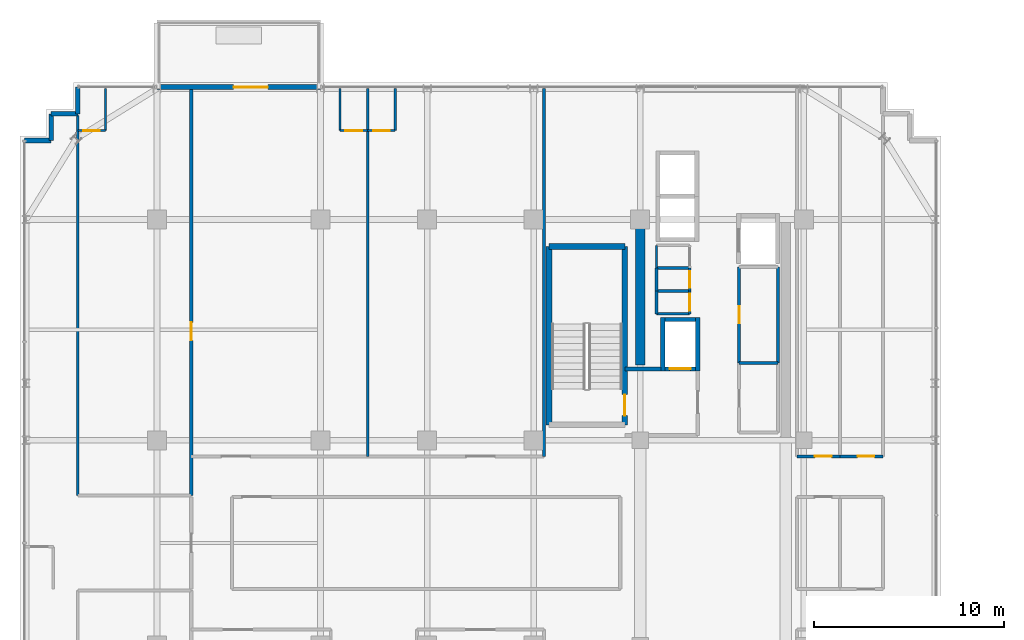
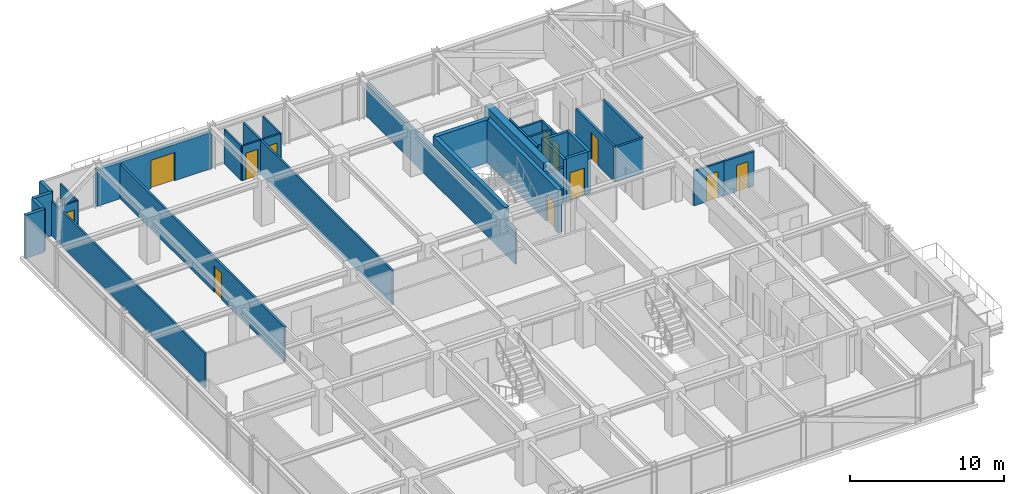
# One storey, part 32 of 36: 37 walls, 12 doors, 12 openings.
"""IFC4 building model written with IfcOpenShell, lengths in metres."""

from ifc_helpers import new_model, si_unit, direction, frame, frame_2d, origin, place, context, subcontext, project, spatial, rectangle, extrude, source, transform, mapped, material, layer, layer_set, type_object, element, fill, save


model = new_model("IFC4")

# Units and contexts
model_context = context("Model", 3, precision=1e-05, world=origin(), true_north=direction((0.0, 1.0)))
body_context = subcontext(model_context, "Body", "Model", "MODEL_VIEW")
ifc_project = project(units=[si_unit("LENGTHUNIT", "METRE"), si_unit("AREAUNIT", "SQUARE_METRE"), si_unit("VOLUMEUNIT", "CUBIC_METRE"), si_unit("PLANEANGLEUNIT", "RADIAN"), si_unit("MASSUNIT", "GRAM", prefix="KILO")], contexts=[model_context])

# Site, building, storey
site_placement = place(None, origin())
site = spatial("IfcSite", under=ifc_project, at=site_placement, CompositionType="ELEMENT")
building_placement = place(site_placement, origin())
building = spatial("IfcBuilding", under=site, at=building_placement, Name="Nahalor Promenade Grand Hotel", CompositionType="ELEMENT")
storey_placement = place(building_placement, frame((0.0, 0.0, 234.5)))
storey = spatial("IfcBuildingStorey", under=building, at=storey_placement, Name="L60", CompositionType="ELEMENT", Elevation=234.5)

# Walls
ifc_material_1 = material(Name="Concrete B-60 (C50/60)", Category="concrete")
ifc_layer_1 = layer(ifc_material_1, 0.5)
ifc_layer_set_1 = layer_set([ifc_layer_1], Name="Concrete B-60 (C50/60)")
wall_type_1 = type_object("IfcWallType", Name="Wall-CoreShear-500", PredefinedType="SHEAR", material=ifc_layer_set_1)
shared_shape_1 = source(origin(), body_context, "Body", "SweptSolid", [
    extrude(rectangle(XDim=7.64990234375, YDim=0.5, at=frame_2d((3.824951171875, 0.0))), origin(), (0.0, 0.0, 1.0), 3.409912109375),
])
wall_1_placement = place(storey_placement, frame((8.39990234375, 9.35009765625, 0.0), z_axis=(0.0, 0.0, 1.0), x_axis=(0.0, 1.0, 0.0)))
element("IfcWall", 1, at=wall_1_placement, inside=storey, type_object=wall_type_1, Name="CWALL-L60-NW", PredefinedType="SHEAR", context=body_context, shape_type="MappedRepresentation", body=[
    mapped(shared_shape_1, transform((0.0, 0.0, 0.0), scale=1.0)),
])
ifc_material_2 = material(Name="Concrete B-50 (C40/50)", Category="concrete")
ifc_layer_2 = layer(ifc_material_2, 0.300048828125)
ifc_layer_set_2 = layer_set([ifc_layer_2], Name="Concrete B-50 (C40/50)")
wall_type_2 = type_object("IfcWallType", Name="Wall-ShaftShear-300", PredefinedType="SHEAR", material=ifc_layer_set_2)
shared_shape_2 = source(origin(), body_context, "Body", "SweptSolid", [
    extrude(rectangle(XDim=3.97998046875, YDim=0.300048828125, at=frame_2d((1.989990234375, 0.0))), origin(), (0.0, 0.0, 1.0), 3.409912109375),
])
wall_2_placement = place(storey_placement, frame((3.610107421875, 15.590087890625, 0.0), z_axis=(0.0, 0.0, 1.0), x_axis=(1.0, 0.0, 0.0)))
element("IfcWall", 2, at=wall_2_placement, inside=storey, type_object=wall_type_2, Name="L60 Exit Stair ST1 Shaft Wall N", PredefinedType="SHEAR", context=body_context, shape_type="MappedRepresentation", body=[
    mapped(shared_shape_2, transform((0.0, 0.0, 0.0), scale=1.0)),
])
shared_shape_3 = source(origin(), body_context, "Body", "SweptSolid", [
    extrude(rectangle(XDim=9.380126953125, YDim=0.300048828125, at=frame_2d((4.68994140625, 0.0))), origin(), (0.0, 0.0, 1.0), 3.409912109375),
])
wall_3_placement = place(storey_placement, frame((3.610107421875, 6.2099609375, 0.0), z_axis=(0.0, 0.0, 1.0), x_axis=(0.0, 1.0, 0.0)))
element("IfcWall", 3, at=wall_3_placement, inside=storey, type_object=wall_type_2, Name="L60 Exit Stair ST1 Shaft Wall W", PredefinedType="SHEAR", context=body_context, shape_type="MappedRepresentation", body=[
    mapped(shared_shape_3, transform((0.0, 0.0, 0.0), scale=1.0)),
])

# Wall, opening, door
wall_4_placement = place(storey_placement, frame((7.590087890625, 6.2099609375, 0.0), z_axis=(0.0, 0.0, 1.0), x_axis=(0.0, 1.0, 0.0)))
wall_4 = element("IfcWall", 4, at=wall_4_placement, inside=storey, type_object=wall_type_2, Name="L60 Exit Stair ST1 Shaft Wall E", PredefinedType="SHEAR", context=body_context, shape_type="MappedRepresentation", body=[
    mapped(shared_shape_3, transform((0.0, 0.0, 0.0), scale=1.0)),
])
opening_1_placement = place(wall_4_placement, frame((0.489990234375, 0.0, 0.0)))
opening_1 = element("IfcOpeningElement", 5, at=opening_1_placement, cuts=wall_4, Name="Opening D-ST1", PredefinedType="OPENING", context=body_context, shape_type="SweptSolid", body=[
    extrude(rectangle(XDim=1.10009765625, YDim=2.14990234375, at=frame_2d((0.550048828125, 1.074951171875))), frame((0.0, 0.159912109375, 0.0), z_axis=(0.0, -1.0, 0.0), x_axis=(1.0, 0.0, 0.0)), (0.0, 0.0, 1.0), 0.320068359375),
])
ifc_material_3 = material(Name="Steel S355JR", Category="steel")
door_type_1 = type_object("IfcDoorType", Name="Door-StairFire-1100", OperationType="NOTDEFINED", PredefinedType="DOOR", material=ifc_material_3)
shared_shape_4 = source(origin(), body_context, "Body", "SweptSolid", [
    extrude(rectangle(XDim=1.10009765625, YDim=2.14990234375, at=frame_2d((0.550048828125, 1.074951171875))), frame((0.0, 0.02490234375, 0.0), z_axis=(0.0, -1.0, 0.0), x_axis=(1.0, 0.0, 0.0)), (0.0, 0.0, 1.0), 0.050048828125),
])
door_1_placement = place(opening_1_placement, origin())
door_1 = element("IfcDoor", 6, at=door_1_placement, inside=storey, type_object=door_type_1, Name="DR-STAIR-ST1-L60", OperationType="SINGLE_SWING_LEFT", OverallHeight=2.14990234375, OverallWidth=1.10009765625, PredefinedType="DOOR", context=body_context, shape_type="MappedRepresentation", body=[
    mapped(shared_shape_4, transform((0.0, 0.0, 0.0), scale=1.0)),
])
fill(opening_1, door_1)

# Walls
ifc_layer_3 = layer(ifc_material_2, 0.219970703125)
ifc_layer_set_3 = layer_set([ifc_layer_3], Name="Concrete B-50 (C40/50)")
wall_type_3 = type_object("IfcWallType", Name="Wall-LiftShaft-220", PredefinedType="SHEAR", material=ifc_layer_set_3)
shared_shape_5 = source(origin(), body_context, "Body", "SweptSolid", [
    extrude(rectangle(XDim=2.820068359375, YDim=0.219970703125, at=frame_2d((1.41015625, 0.0))), origin(), (0.0, 0.0, 1.0), 3.409912109375),
])
for number, where, z_axis, x_axis, name in (
    (7, (9.580078125, 9.0400390625, 0.0), (0.0, 0.0, 1.0), (0.0, 1.0, 0.0), "L60 Lift FL1 Hoistway Wall W"),
    (8, (11.419921875, 9.0400390625, 0.0), (0.0, 0.0, 1.0), (0.0, 1.0, 0.0), "L60 Lift FL1 Hoistway Wall E"),
):
    element("IfcWall", number, at=place(storey_placement, frame(where, z_axis=z_axis, x_axis=x_axis)), inside=storey, type_object=wall_type_3, Name=name, PredefinedType="SHEAR", context=body_context, shape_type="MappedRepresentation", body=[
        mapped(shared_shape_5, transform((0.0, 0.0, 0.0), scale=1.0)),
    ])

# Wall, opening, door
shared_shape_6 = source(origin(), body_context, "Body", "SweptSolid", [
    extrude(rectangle(XDim=1.6201171875, YDim=0.219970703125, at=frame_2d((0.81005859375, 0.0))), origin(), (0.0, 0.0, 1.0), 3.409912109375),
])
wall_5_placement = place(storey_placement, frame((9.68994140625, 9.14990234375, 0.0), z_axis=(0.0, 0.0, 1.0), x_axis=(1.0, 0.0, 0.0)))
wall_5 = element("IfcWall", 9, at=wall_5_placement, inside=storey, type_object=wall_type_3, Name="L60 Lift FL1 Hoistway Wall S", PredefinedType="SHEAR", context=body_context, shape_type="MappedRepresentation", body=[
    mapped(shared_shape_6, transform((0.0, 0.0, 0.0), scale=1.0)),
])
opening_2_placement = place(wall_5_placement, frame((0.260009765625, 0.0, 0.0)))
opening_2 = element("IfcOpeningElement", 10, at=opening_2_placement, cuts=wall_5, Name="Opening LD-02", PredefinedType="OPENING", context=body_context, shape_type="SweptSolid", body=[
    extrude(rectangle(XDim=1.10009765625, YDim=2.199951171875, at=frame_2d((0.550048828125, 1.10009765625))), frame((0.0, 0.119873046875, 0.0), z_axis=(0.0, -1.0, 0.0), x_axis=(1.0, 0.0, 0.0)), (0.0, 0.0, 1.0), 0.239990234375),
])
door_type_2 = type_object("IfcDoorType", Name="Door-LiftFF-1100", OperationType="DOUBLE_DOOR_SLIDING", PredefinedType="DOOR", material=ifc_material_3)
shared_shape_7 = source(origin(), body_context, "Body", "SweptSolid", [
    extrude(rectangle(XDim=1.10009765625, YDim=2.199951171875, at=frame_2d((0.550048828125, 1.10009765625))), frame((0.0, 0.02490234375, 0.0), z_axis=(0.0, -1.0, 0.0), x_axis=(1.0, 0.0, 0.0)), (0.0, 0.0, 1.0), 0.050048828125),
])
door_2_placement = place(opening_2_placement, frame((1.10009765625, 0.0, 0.0), z_axis=(0.0, 0.0, 1.0), x_axis=(-1.0, 0.0, 0.0)))
door_2 = element("IfcDoor", 11, at=door_2_placement, inside=storey, type_object=door_type_2, Name="DR-LIFT-FL1-L60", OperationType="DOUBLE_DOOR_SLIDING", OverallHeight=2.199951171875, OverallWidth=1.10009765625, PredefinedType="DOOR", context=body_context, shape_type="MappedRepresentation", body=[
    mapped(shared_shape_7, transform((0.0, 0.0, 0.0), scale=1.0)),
])
fill(opening_2, door_2)

# Walls
wall_6_placement = place(storey_placement, frame((9.68994140625, 11.75, 0.0), z_axis=(0.0, 0.0, 1.0), x_axis=(1.0, 0.0, 0.0)))
element("IfcWall", 12, at=wall_6_placement, inside=storey, type_object=wall_type_3, Name="L60 Lift FL1 Hoistway Wall N", PredefinedType="SHEAR", context=body_context, shape_type="MappedRepresentation", body=[
    mapped(shared_shape_6, transform((0.0, 0.0, 0.0), scale=1.0)),
])
ifc_material_4 = material(Name="Concrete B-40 (C32/40)", Category="concrete")
ifc_layer_4 = layer(ifc_material_4, 0.25)
ifc_layer_set_4 = layer_set([ifc_layer_4], Name="Concrete B-40 (C32/40)")
wall_type_4 = type_object("IfcWallType", Name="Wall-BronzePier-250", PredefinedType="STANDARD", material=ifc_layer_set_4)
shared_shape_8 = source(origin(), body_context, "Body", "SweptSolid", [
    extrude(rectangle(XDim=1.39990234375, YDim=0.25, at=frame_2d((0.699951171875, 0.0))), origin(), (0.0, 0.0, 1.0), 3.409912109375),
])
for number, where, z_axis, x_axis, name in (
    (13, (-21.159912109375, 22.56005859375, 0.0), (0.0, 0.0, 1.0), (0.0, 1.0, 0.0), "W-L60-SR-09"),
    (14, (-23.9599609375, 21.159912109375, 0.0), (0.0, 0.0, 1.0), (1.0, 0.0, 0.0), "W-L60-SR-12"),
):
    element("IfcWall", number, at=place(storey_placement, frame(where, z_axis=z_axis, x_axis=x_axis)), inside=storey, type_object=wall_type_4, Name=name, PredefinedType="STANDARD", context=body_context, shape_type="MappedRepresentation", body=[
        mapped(shared_shape_8, transform((0.0, 0.0, 0.0), scale=1.0)),
    ])
shared_shape_9 = source(origin(), body_context, "Body", "SweptSolid", [
    extrude(rectangle(XDim=1.400146484375, YDim=0.25, at=frame_2d((0.7001953125, 0.0))), origin(), (0.0, 0.0, 1.0), 3.409912109375),
])
for number, where, z_axis, x_axis, name in (
    (15, (-22.56005859375, 22.56005859375, 0.0), (0.0, 0.0, 1.0), (1.0, 0.0, 0.0), "W-L60-SR-10"),
    (16, (-22.56005859375, 21.159912109375, 0.0), (0.0, 0.0, 1.0), (0.0, 1.0, 0.0), "W-L60-SR-11"),
):
    element("IfcWall", number, at=place(storey_placement, frame(where, z_axis=z_axis, x_axis=x_axis)), inside=storey, type_object=wall_type_4, Name=name, PredefinedType="STANDARD", context=body_context, shape_type="MappedRepresentation", body=[
        mapped(shared_shape_9, transform((0.0, 0.0, 0.0), scale=1.0)),
    ])

# Wall, opening, door
ifc_layer_5 = layer(ifc_material_4, 0.260009765625)
ifc_layer_set_5 = layer_set([ifc_layer_5], Name="Concrete B-40 (C32/40)")
wall_type_5 = type_object("IfcWallType", Name="Wall-BalconyWall-260", PredefinedType="STANDARD", material=ifc_layer_set_5)
shared_shape_10 = source(origin(), body_context, "Body", "SweptSolid", [
    extrude(rectangle(XDim=8.60009765625, YDim=0.260009765625, at=frame_2d((4.300048828125, 0.0))), origin(), (0.0, 0.0, 1.0), 2.889892578125),
])
wall_7_placement = place(storey_placement, frame((-17.0, 23.9599609375, 0.0), z_axis=(0.0, 0.0, 1.0), x_axis=(1.0, 0.0, 0.0)))
wall_7 = element("IfcWall", 17, at=wall_7_placement, inside=storey, type_object=wall_type_5, Name="W-L60-BALC-N-2", PredefinedType="STANDARD", context=body_context, shape_type="MappedRepresentation", body=[
    mapped(shared_shape_10, transform((0.0, 0.0, 0.0), scale=1.0)),
])
opening_3_placement = place(wall_7_placement, frame((4.02490234375, 0.0, 0.0)))
opening_3 = element("IfcOpeningElement", 18, at=opening_3_placement, cuts=wall_7, Name="Opening D-BC1", PredefinedType="OPENING", context=body_context, shape_type="SweptSolid", body=[
    extrude(rectangle(XDim=1.800048828125, YDim=2.25, at=frame_2d((0.89990234375, 1.125))), frame((0.0, 0.139892578125, 0.0), z_axis=(0.0, -1.0, 0.0), x_axis=(1.0, 0.0, 0.0)), (0.0, 0.0, 1.0), 0.280029296875),
])
ifc_material_5 = material(Name="Anodised Bronze Aluminium EN AW-6063 T6", Category="aluminium")
door_type_3 = type_object("IfcDoorType", Name="Door-BalconySlide-1800", OperationType="DOUBLE_DOOR_SLIDING", PredefinedType="DOOR", material=ifc_material_5)
shared_shape_11 = source(origin(), body_context, "Body", "SweptSolid", [
    extrude(rectangle(XDim=1.800048828125, YDim=2.25, at=frame_2d((0.89990234375, 1.125))), frame((0.0, 0.02490234375, 0.0), z_axis=(0.0, -1.0, 0.0), x_axis=(1.0, 0.0, 0.0)), (0.0, 0.0, 1.0), 0.050048828125),
])
door_3_placement = place(opening_3_placement, origin())
door_3 = element("IfcDoor", 19, at=door_3_placement, inside=storey, type_object=door_type_3, Name="DR-L60-BALC-N-2", OperationType="DOUBLE_DOOR_SLIDING", OverallHeight=2.25, OverallWidth=1.800048828125, PredefinedType="DOOR", context=body_context, shape_type="MappedRepresentation", body=[
    mapped(shared_shape_11, transform((0.0, 0.0, 0.0), scale=1.0)),
])
fill(opening_3, door_3)

# Walls
ifc_layer_6 = layer(ifc_material_4, 0.199951171875)
ifc_layer_set_6 = layer_set([ifc_layer_6], Name="Concrete B-40 (C32/40)")
wall_type_6 = type_object("IfcWallType", Name="Wall-PartFire-200", PredefinedType="PARTITIONING", material=ifc_layer_set_6)
shared_shape_12 = source(origin(), body_context, "Body", "SweptSolid", [
    extrude(rectangle(XDim=1.89990234375, YDim=0.199951171875, at=frame_2d((0.949951171875, 0.0))), origin(), (0.0, 0.0, 1.0), 2.75),
])
wall_8_placement = place(storey_placement, frame((7.60009765625, 9.14990234375, 0.0), z_axis=(0.0, 0.0, 1.0), x_axis=(1.0, 0.0, 0.0)))
element("IfcWall", 20, at=wall_8_placement, inside=storey, type_object=wall_type_6, Name="W-L60-FF1-N", PredefinedType="PARTITIONING", context=body_context, shape_type="MappedRepresentation", body=[
    mapped(shared_shape_12, transform((0.0, 0.0, 0.0), scale=1.0)),
])
ifc_material_6 = material(Name="Acoustic Mineral Gypsum", Category="gypsum")
ifc_layer_7 = layer(ifc_material_6, 0.14990234375)
ifc_layer_set_7 = layer_set([ifc_layer_7], Name="Acoustic Mineral Gypsum")
wall_type_7 = type_object("IfcWallType", Name="Wall-PartService-150", PredefinedType="PARTITIONING", material=ifc_layer_set_7)
shared_shape_13 = source(origin(), body_context, "Body", "SweptSolid", [
    extrude(rectangle(XDim=1.75, YDim=0.14990234375, at=frame_2d((0.875, 0.0))), origin(), (0.0, 0.0, 1.0), 2.75),
])
for number, where, z_axis, x_axis, name in (
    (21, (9.25, 12.050048828125, 0.0), (0.0, 0.0, 1.0), (1.0, 0.0, 0.0), "W-L60-CK3A-S"),
    (22, (9.25, 13.25, 0.0), (0.0, 0.0, 1.0), (1.0, 0.0, 0.0), "W-L60-CK3A-N"),
    (23, (9.25, 14.449951171875, 0.0), (0.0, 0.0, 1.0), (1.0, 0.0, 0.0), "W-L60-CK3B-N"),
):
    element("IfcWall", number, at=place(storey_placement, frame(where, z_axis=z_axis, x_axis=x_axis)), inside=storey, type_object=wall_type_7, Name=name, PredefinedType="PARTITIONING", context=body_context, shape_type="MappedRepresentation", body=[
        mapped(shared_shape_13, transform((0.0, 0.0, 0.0), scale=1.0)),
    ])
ifc_layer_8 = layer(ifc_material_6, 0.159912109375)
ifc_layer_set_8 = layer_set([ifc_layer_8], Name="Acoustic Mineral Gypsum")
wall_type_8 = type_object("IfcWallType", Name="Wall-PartCorridor-160", PredefinedType="PARTITIONING", material=ifc_layer_set_8)
shared_shape_14 = source(origin(), body_context, "Body", "SweptSolid", [
    extrude(rectangle(XDim=2.0498046875, YDim=0.159912109375, at=frame_2d((1.02490234375, 0.0))), origin(), (0.0, 0.0, 1.0), 2.75),
])
wall_9_placement = place(storey_placement, frame((13.60009765625, 9.449951171875, 0.0), z_axis=(0.0, 0.0, 1.0), x_axis=(1.0, 0.0, 0.0)))
element("IfcWall", 24, at=wall_9_placement, inside=storey, type_object=wall_type_8, Name="W-L60-FRB1A-N", PredefinedType="PARTITIONING", context=body_context, shape_type="MappedRepresentation", body=[
    mapped(shared_shape_14, transform((0.0, 0.0, 0.0), scale=1.0)),
])

# Wall, opening, door
shared_shape_15 = source(origin(), body_context, "Body", "SweptSolid", [
    extrude(rectangle(XDim=2.255126953125, YDim=0.159912109375, at=frame_2d((1.12744140625, 0.0))), origin(), (0.0, 0.0, 1.0), 2.75),
])
wall_10_placement = place(storey_placement, frame((16.64990234375, 4.550048828125, 0.0), z_axis=(0.0, 0.0, 1.0), x_axis=(1.0, 0.0, 0.0)))
wall_10 = element("IfcWall", 25, at=wall_10_placement, inside=storey, type_object=wall_type_8, Name="W-L60-ENE1-S", PredefinedType="PARTITIONING", context=body_context, shape_type="MappedRepresentation", body=[
    mapped(shared_shape_15, transform((0.0, 0.0, 0.0), scale=1.0)),
])
opening_4_placement = place(wall_10_placement, frame((0.924072265625, 0.0, 0.0)))
opening_4 = element("IfcOpeningElement", 26, at=opening_4_placement, cuts=wall_10, Name="Opening D-03", PredefinedType="OPENING", context=body_context, shape_type="SweptSolid", body=[
    extrude(rectangle(XDim=0.8798828125, YDim=2.10009765625, at=frame_2d((0.43994140625, 1.050048828125))), frame((0.0, 0.08984375, 0.0), z_axis=(0.0, -1.0, 0.0), x_axis=(1.0, 0.0, 0.0)), (0.0, 0.0, 1.0), 0.179931640625),
])
ifc_material_7 = material(Name="Fire-Rated Timber Composite", Category="wood")
door_type_4 = type_object("IfcDoorType", Name="Door-BathSwing-880", OperationType="NOTDEFINED", PredefinedType="DOOR", material=ifc_material_7)
shared_shape_16 = source(origin(), body_context, "Body", "SweptSolid", [
    extrude(rectangle(XDim=0.8798828125, YDim=2.10009765625, at=frame_2d((0.43994140625, 1.050048828125))), frame((0.0, 0.02490234375, 0.0), z_axis=(0.0, -1.0, 0.0), x_axis=(1.0, 0.0, 0.0)), (0.0, 0.0, 1.0), 0.050048828125),
])
door_4_placement = place(opening_4_placement, origin())
door_4 = element("IfcDoor", 27, at=door_4_placement, inside=storey, type_object=door_type_4, Name="DR-L60-ENE1", OperationType="SINGLE_SWING_LEFT", OverallHeight=2.10009765625, OverallWidth=0.8798828125, PredefinedType="DOOR", context=body_context, shape_type="MappedRepresentation", body=[
    mapped(shared_shape_16, transform((0.0, 0.0, 0.0), scale=1.0)),
])
fill(opening_4, door_4)

shared_shape_17 = source(origin(), body_context, "Body", "SweptSolid", [
    extrude(rectangle(XDim=2.2548828125, YDim=0.159912109375, at=frame_2d((1.12744140625, 0.0))), origin(), (0.0, 0.0, 1.0), 2.75),
])
wall_11_placement = place(storey_placement, frame((18.905029296875, 4.550048828125, 0.0), z_axis=(0.0, 0.0, 1.0), x_axis=(1.0, 0.0, 0.0)))
wall_11 = element("IfcWall", 28, at=wall_11_placement, inside=storey, type_object=wall_type_8, Name="W-L60-ENE2-S", PredefinedType="PARTITIONING", context=body_context, shape_type="MappedRepresentation", body=[
    mapped(shared_shape_17, transform((0.0, 0.0, 0.0), scale=1.0)),
])
opening_5_placement = place(wall_11_placement, frame((0.924072265625, 0.0, 0.0)))
opening_5 = element("IfcOpeningElement", 29, at=opening_5_placement, cuts=wall_11, Name="Opening D-03", PredefinedType="OPENING", context=body_context, shape_type="SweptSolid", body=[
    extrude(rectangle(XDim=0.8798828125, YDim=2.10009765625, at=frame_2d((0.43994140625, 1.050048828125))), frame((0.0, 0.08984375, 0.0), z_axis=(0.0, -1.0, 0.0), x_axis=(1.0, 0.0, 0.0)), (0.0, 0.0, 1.0), 0.179931640625),
])
door_5_placement = place(opening_5_placement, origin())
door_5 = element("IfcDoor", 30, at=door_5_placement, inside=storey, type_object=door_type_4, Name="DR-L60-ENE2", OperationType="SINGLE_SWING_RIGHT", OverallHeight=2.10009765625, OverallWidth=0.8798828125, PredefinedType="DOOR", context=body_context, shape_type="MappedRepresentation", body=[
    mapped(shared_shape_16, transform((0.0, 0.0, 0.0), scale=1.0)),
])
fill(opening_5, door_5)

shared_shape_18 = source(origin(), body_context, "Body", "SweptSolid", [
    extrude(rectangle(XDim=21.39990234375, YDim=0.159912109375, at=frame_2d((10.699951171875, 0.0))), origin(), (0.0, 0.0, 1.0), 2.75),
])
wall_12_placement = place(storey_placement, frame((-15.199951171875, 2.5, 0.0), z_axis=(0.0, 0.0, 1.0), x_axis=(0.0, 1.0, 0.0)))
wall_12 = element("IfcWall", 31, at=wall_12_placement, inside=storey, type_object=wall_type_8, Name="W-L60-ZNW-E", PredefinedType="PARTITIONING", context=body_context, shape_type="MappedRepresentation", body=[
    mapped(shared_shape_18, transform((0.0, 0.0, 0.0), scale=1.0)),
])
opening_6_placement = place(wall_12_placement, frame((8.14990234375, 0.0, 0.0)))
opening_6 = element("IfcOpeningElement", 32, at=opening_6_placement, cuts=wall_12, Name="Opening D-01", PredefinedType="OPENING", context=body_context, shape_type="SweptSolid", body=[
    extrude(rectangle(XDim=0.949951171875, YDim=2.10009765625, at=frame_2d((0.47509765625, 1.050048828125))), frame((0.0, 0.08984375, 0.0), z_axis=(0.0, -1.0, 0.0), x_axis=(1.0, 0.0, 0.0)), (0.0, 0.0, 1.0), 0.179931640625),
])
door_type_5 = type_object("IfcDoorType", Name="Door-GuestEntry-950", OperationType="NOTDEFINED", PredefinedType="DOOR", material=ifc_material_7)
shared_shape_19 = source(origin(), body_context, "Body", "SweptSolid", [
    extrude(rectangle(XDim=0.949951171875, YDim=2.10009765625, at=frame_2d((0.47509765625, 1.050048828125))), frame((0.0, 0.02490234375, 0.0), z_axis=(0.0, -1.0, 0.0), x_axis=(1.0, 0.0, 0.0)), (0.0, 0.0, 1.0), 0.050048828125),
])
door_6_placement = place(opening_6_placement, origin())
door_6 = element("IfcDoor", 33, at=door_6_placement, inside=storey, type_object=door_type_5, Name="DR-L60-NW0-ENT", OperationType="SINGLE_SWING_RIGHT", OverallHeight=2.10009765625, OverallWidth=0.949951171875, PredefinedType="DOOR", context=body_context, shape_type="MappedRepresentation", body=[
    mapped(shared_shape_19, transform((0.0, 0.0, 0.0), scale=1.0)),
])
fill(opening_6, door_6)

# Wall
ifc_layer_9 = layer(ifc_material_6, 0.139892578125)
ifc_layer_set_9 = layer_set([ifc_layer_9], Name="Acoustic Mineral Gypsum")
wall_type_9 = type_object("IfcWallType", Name="Wall-PartSuite-140", PredefinedType="PARTITIONING", material=ifc_layer_set_9)
shared_shape_20 = source(origin(), body_context, "Body", "SweptSolid", [
    extrude(rectangle(XDim=19.97998046875, YDim=0.139892578125, at=frame_2d((9.989990234375, 0.0))), origin(), (0.0, 0.0, 1.0), 2.75),
])
wall_13_placement = place(storey_placement, frame((-21.159912109375, 2.5, 0.0), z_axis=(0.0, 0.0, 1.0), x_axis=(0.0, 1.0, 0.0)))
element("IfcWall", 34, at=wall_13_placement, inside=storey, type_object=wall_type_9, Name="W-L60-ZNW-W", PredefinedType="PARTITIONING", context=body_context, shape_type="MappedRepresentation", body=[
    mapped(shared_shape_20, transform((0.0, 0.0, 0.0), scale=1.0)),
])

# Wall, opening, door
ifc_layer_10 = layer(ifc_material_6, 0.1201171875)
ifc_layer_set_10 = layer_set([ifc_layer_10], Name="Acoustic Mineral Gypsum")
wall_type_10 = type_object("IfcWallType", Name="Wall-PartBath-120", PredefinedType="PARTITIONING", material=ifc_layer_set_10)
shared_shape_21 = source(origin(), body_context, "Body", "SweptSolid", [
    extrude(rectangle(XDim=1.449951171875, YDim=0.1201171875, at=frame_2d((0.72509765625, 0.0))), origin(), (0.0, 0.0, 1.0), 2.75),
])
wall_14_placement = place(storey_placement, frame((-21.159912109375, 21.679931640625, 0.0), z_axis=(0.0, 0.0, 1.0), x_axis=(1.0, 0.0, 0.0)))
wall_14 = element("IfcWall", 35, at=wall_14_placement, inside=storey, type_object=wall_type_10, Name="W-L60-NW0-BH", PredefinedType="PARTITIONING", context=body_context, shape_type="MappedRepresentation", body=[
    mapped(shared_shape_21, transform((0.0, 0.0, 0.0), scale=1.0)),
])
opening_7_placement = place(wall_14_placement, frame((0.284912109375, 0.0, 0.0)))
opening_7 = element("IfcOpeningElement", 36, at=opening_7_placement, cuts=wall_14, Name="Opening D-03", PredefinedType="OPENING", context=body_context, shape_type="SweptSolid", body=[
    extrude(rectangle(XDim=0.8798828125, YDim=2.10009765625, at=frame_2d((0.43994140625, 1.050048828125))), frame((0.0, 0.070068359375, 0.0), z_axis=(0.0, -1.0, 0.0), x_axis=(1.0, 0.0, 0.0)), (0.0, 0.0, 1.0), 0.14013671875),
])
door_7_placement = place(opening_7_placement, origin())
door_7 = element("IfcDoor", 37, at=door_7_placement, inside=storey, type_object=door_type_4, Name="DR-L60-NW0-BATH", OperationType="SINGLE_SWING_LEFT", OverallHeight=2.10009765625, OverallWidth=0.8798828125, PredefinedType="DOOR", context=body_context, shape_type="MappedRepresentation", body=[
    mapped(shared_shape_16, transform((0.0, 0.0, 0.0), scale=1.0)),
])
fill(opening_7, door_7)

wall_15_placement = place(storey_placement, frame((-7.3798828125, 21.679931640625, 0.0), z_axis=(0.0, 0.0, 1.0), x_axis=(1.0, 0.0, 0.0)))
wall_15 = element("IfcWall", 38, at=wall_15_placement, inside=storey, type_object=wall_type_10, Name="W-L60-N1-BH", PredefinedType="PARTITIONING", context=body_context, shape_type="MappedRepresentation", body=[
    mapped(shared_shape_21, transform((0.0, 0.0, 0.0), scale=1.0)),
])
opening_8_placement = place(wall_15_placement, frame((0.284912109375, 0.0, 0.0)))
opening_8 = element("IfcOpeningElement", 39, at=opening_8_placement, cuts=wall_15, Name="Opening D-03", PredefinedType="OPENING", context=body_context, shape_type="SweptSolid", body=[
    extrude(rectangle(XDim=0.8798828125, YDim=2.10009765625, at=frame_2d((0.43994140625, 1.050048828125))), frame((0.0, 0.070068359375, 0.0), z_axis=(0.0, -1.0, 0.0), x_axis=(1.0, 0.0, 0.0)), (0.0, 0.0, 1.0), 0.14013671875),
])
door_8_placement = place(opening_8_placement, origin())
door_8 = element("IfcDoor", 40, at=door_8_placement, inside=storey, type_object=door_type_4, Name="DR-L60-N1-BATH", OperationType="SINGLE_SWING_LEFT", OverallHeight=2.10009765625, OverallWidth=0.8798828125, PredefinedType="DOOR", context=body_context, shape_type="MappedRepresentation", body=[
    mapped(shared_shape_16, transform((0.0, 0.0, 0.0), scale=1.0)),
])
fill(opening_8, door_8)

wall_16_placement = place(storey_placement, frame((-5.929931640625, 21.679931640625, 0.0), z_axis=(0.0, 0.0, 1.0), x_axis=(1.0, 0.0, 0.0)))
wall_16 = element("IfcWall", 41, at=wall_16_placement, inside=storey, type_object=wall_type_10, Name="W-L60-N2-BH", PredefinedType="PARTITIONING", context=body_context, shape_type="MappedRepresentation", body=[
    mapped(shared_shape_21, transform((0.0, 0.0, 0.0), scale=1.0)),
])
opening_9_placement = place(wall_16_placement, frame((0.284912109375, 0.0, 0.0)))
opening_9 = element("IfcOpeningElement", 42, at=opening_9_placement, cuts=wall_16, Name="Opening D-03", PredefinedType="OPENING", context=body_context, shape_type="SweptSolid", body=[
    extrude(rectangle(XDim=0.8798828125, YDim=2.10009765625, at=frame_2d((0.43994140625, 1.050048828125))), frame((0.0, 0.070068359375, 0.0), z_axis=(0.0, -1.0, 0.0), x_axis=(1.0, 0.0, 0.0)), (0.0, 0.0, 1.0), 0.14013671875),
])
door_9_placement = place(opening_9_placement, origin())
door_9 = element("IfcDoor", 43, at=door_9_placement, inside=storey, type_object=door_type_4, Name="DR-L60-N2-BATH", OperationType="SINGLE_SWING_RIGHT", OverallHeight=2.10009765625, OverallWidth=0.8798828125, PredefinedType="DOOR", context=body_context, shape_type="MappedRepresentation", body=[
    mapped(shared_shape_16, transform((0.0, 0.0, 0.0), scale=1.0)),
])
fill(opening_9, door_9)

# Walls
shared_shape_22 = source(origin(), body_context, "Body", "SweptSolid", [
    extrude(rectangle(XDim=2.219970703125, YDim=0.1201171875, at=frame_2d((1.10986328125, 0.0))), origin(), (0.0, 0.0, 1.0), 2.75),
])
for number, where, z_axis, x_axis, name in (
    (44, (-19.7099609375, 21.679931640625, 0.0), (0.0, 0.0, 1.0), (0.0, 1.0, 0.0), "W-L60-NW0-BV"),
    (45, (-7.3798828125, 21.679931640625, 0.0), (0.0, 0.0, 1.0), (0.0, 1.0, 0.0), "W-L60-N1-BV"),
    (46, (-4.47998046875, 21.679931640625, 0.0), (0.0, 0.0, 1.0), (0.0, 1.0, 0.0), "W-L60-N2-BV"),
):
    element("IfcWall", number, at=place(storey_placement, frame(where, z_axis=z_axis, x_axis=x_axis)), inside=storey, type_object=wall_type_10, Name=name, PredefinedType="PARTITIONING", context=body_context, shape_type="MappedRepresentation", body=[
        mapped(shared_shape_22, transform((0.0, 0.0, 0.0), scale=1.0)),
    ])
shared_shape_23 = source(origin(), body_context, "Body", "SweptSolid", [
    extrude(rectangle(XDim=19.349853515625, YDim=0.139892578125, at=frame_2d((9.6748046875, 0.0))), origin(), (0.0, 0.0, 1.0), 2.75),
])
for number, where, z_axis, x_axis, name in (
    (47, (3.340087890625, 4.550048828125, 0.0), (0.0, 0.0, 1.0), (0.0, 1.0, 0.0), "W-L60-NW-ENDE"),
    (48, (-5.929931640625, 4.550048828125, 0.0), (0.0, 0.0, 1.0), (0.0, 1.0, 0.0), "W-L60-NP-1"),
):
    element("IfcWall", number, at=place(storey_placement, frame(where, z_axis=z_axis, x_axis=x_axis)), inside=storey, type_object=wall_type_9, Name=name, PredefinedType="PARTITIONING", context=body_context, shape_type="MappedRepresentation", body=[
        mapped(shared_shape_23, transform((0.0, 0.0, 0.0), scale=1.0)),
    ])
shared_shape_24 = source(origin(), body_context, "Body", "SweptSolid", [
    extrude(rectangle(XDim=1.199951171875, YDim=0.14990234375, at=frame_2d((0.60009765625, 0.0))), origin(), (0.0, 0.0, 1.0), 2.75),
])
wall_17_placement = place(storey_placement, frame((9.25, 12.050048828125, 0.0), z_axis=(0.0, 0.0, 1.0), x_axis=(0.0, 1.0, 0.0)))
element("IfcWall", 49, at=wall_17_placement, inside=storey, type_object=wall_type_7, Name="W-L60-CK3A-W", PredefinedType="PARTITIONING", context=body_context, shape_type="MappedRepresentation", body=[
    mapped(shared_shape_24, transform((0.0, 0.0, 0.0), scale=1.0)),
])

# Wall, opening, door
wall_18_placement = place(storey_placement, frame((11.0, 12.050048828125, 0.0), z_axis=(0.0, 0.0, 1.0), x_axis=(0.0, 1.0, 0.0)))
wall_18 = element("IfcWall", 50, at=wall_18_placement, inside=storey, type_object=wall_type_7, Name="W-L60-CK3A-E", PredefinedType="PARTITIONING", context=body_context, shape_type="MappedRepresentation", body=[
    mapped(shared_shape_24, transform((0.0, 0.0, 0.0), scale=1.0)),
])
opening_10_placement = place(wall_18_placement, frame((0.159912109375, 0.0, 0.0)))
opening_10 = element("IfcOpeningElement", 51, at=opening_10_placement, cuts=wall_18, Name="Opening D-03", PredefinedType="OPENING", context=body_context, shape_type="SweptSolid", body=[
    extrude(rectangle(XDim=0.8798828125, YDim=2.10009765625, at=frame_2d((0.43994140625, 1.050048828125))), frame((0.0, 0.0849609375, 0.0), z_axis=(0.0, -1.0, 0.0), x_axis=(1.0, 0.0, 0.0)), (0.0, 0.0, 1.0), 0.169921875),
])
door_10_placement = place(opening_10_placement, origin())
door_10 = element("IfcDoor", 52, at=door_10_placement, inside=storey, type_object=door_type_4, Name="DR-L60-CK3A", OperationType="SINGLE_SWING_RIGHT", OverallHeight=2.10009765625, OverallWidth=0.8798828125, PredefinedType="DOOR", context=body_context, shape_type="MappedRepresentation", body=[
    mapped(shared_shape_16, transform((0.0, 0.0, 0.0), scale=1.0)),
])
fill(opening_10, door_10)

# Wall
wall_19_placement = place(storey_placement, frame((9.25, 13.25, 0.0), z_axis=(0.0, 0.0, 1.0), x_axis=(0.0, 1.0, 0.0)))
element("IfcWall", 53, at=wall_19_placement, inside=storey, type_object=wall_type_7, Name="W-L60-CK3B-W", PredefinedType="PARTITIONING", context=body_context, shape_type="MappedRepresentation", body=[
    mapped(shared_shape_24, transform((0.0, 0.0, 0.0), scale=1.0)),
])

# Wall, opening, door
wall_20_placement = place(storey_placement, frame((11.0, 13.25, 0.0), z_axis=(0.0, 0.0, 1.0), x_axis=(0.0, 1.0, 0.0)))
wall_20 = element("IfcWall", 54, at=wall_20_placement, inside=storey, type_object=wall_type_7, Name="W-L60-CK3B-E", PredefinedType="PARTITIONING", context=body_context, shape_type="MappedRepresentation", body=[
    mapped(shared_shape_24, transform((0.0, 0.0, 0.0), scale=1.0)),
])
opening_11_placement = place(wall_20_placement, frame((0.159912109375, 0.0, 0.0)))
opening_11 = element("IfcOpeningElement", 55, at=opening_11_placement, cuts=wall_20, Name="Opening D-03", PredefinedType="OPENING", context=body_context, shape_type="SweptSolid", body=[
    extrude(rectangle(XDim=0.8798828125, YDim=2.10009765625, at=frame_2d((0.43994140625, 1.050048828125))), frame((0.0, 0.0849609375, 0.0), z_axis=(0.0, -1.0, 0.0), x_axis=(1.0, 0.0, 0.0)), (0.0, 0.0, 1.0), 0.169921875),
])
door_11_placement = place(opening_11_placement, origin())
door_11 = element("IfcDoor", 56, at=door_11_placement, inside=storey, type_object=door_type_4, Name="DR-L60-CK3B", OperationType="SINGLE_SWING_LEFT", OverallHeight=2.10009765625, OverallWidth=0.8798828125, PredefinedType="DOOR", context=body_context, shape_type="MappedRepresentation", body=[
    mapped(shared_shape_16, transform((0.0, 0.0, 0.0), scale=1.0)),
])
fill(opening_11, door_11)

# Wall
shared_shape_25 = source(origin(), body_context, "Body", "SweptSolid", [
    extrude(rectangle(XDim=1.199951171875, YDim=0.1201171875, at=frame_2d((0.60009765625, 0.0))), origin(), (0.0, 0.0, 1.0), 2.75),
])
wall_21_placement = place(storey_placement, frame((9.25, 14.449951171875, 0.0), z_axis=(0.0, 0.0, 1.0), x_axis=(0.0, 1.0, 0.0)))
element("IfcWall", 57, at=wall_21_placement, inside=storey, type_object=wall_type_10, Name="W-L60-CK3C-W", PredefinedType="PARTITIONING", context=body_context, shape_type="MappedRepresentation", body=[
    mapped(shared_shape_25, transform((0.0, 0.0, 0.0), scale=1.0)),
])

# Wall, opening, door
shared_shape_26 = source(origin(), body_context, "Body", "SweptSolid", [
    extrude(rectangle(XDim=5.050048828125, YDim=0.159912109375, at=frame_2d((2.52490234375, 0.0))), origin(), (0.0, 0.0, 1.0), 2.75),
])
wall_22_placement = place(storey_placement, frame((13.60009765625, 9.449951171875, 0.0), z_axis=(0.0, 0.0, 1.0), x_axis=(0.0, 1.0, 0.0)))
wall_22 = element("IfcWall", 58, at=wall_22_placement, inside=storey, type_object=wall_type_8, Name="W-L60-FRB1B-W", PredefinedType="PARTITIONING", context=body_context, shape_type="MappedRepresentation", body=[
    mapped(shared_shape_26, transform((0.0, 0.0, 0.0), scale=1.0)),
])
opening_12_placement = place(wall_22_placement, frame((2.110107421875, 0.0, 0.0)))
opening_12 = element("IfcOpeningElement", 59, at=opening_12_placement, cuts=wall_22, Name="Opening D-03", PredefinedType="OPENING", context=body_context, shape_type="SweptSolid", body=[
    extrude(rectangle(XDim=0.8798828125, YDim=2.10009765625, at=frame_2d((0.43994140625, 1.050048828125))), frame((0.0, 0.08984375, 0.0), z_axis=(0.0, -1.0, 0.0), x_axis=(1.0, 0.0, 0.0)), (0.0, 0.0, 1.0), 0.179931640625),
])
door_12_placement = place(opening_12_placement, frame((0.8798828125, 0.0, 0.0), z_axis=(0.0, 0.0, 1.0), x_axis=(-1.0, 0.0, 0.0)))
door_12 = element("IfcDoor", 60, at=door_12_placement, inside=storey, type_object=door_type_4, Name="DR-L60-FRB1B", OperationType="SINGLE_SWING_RIGHT", OverallHeight=2.10009765625, OverallWidth=0.8798828125, PredefinedType="DOOR", context=body_context, shape_type="MappedRepresentation", body=[
    mapped(shared_shape_16, transform((0.0, 0.0, 0.0), scale=1.0)),
])
fill(opening_12, door_12)

# Wall
wall_23_placement = place(storey_placement, frame((15.64990234375, 9.449951171875, 0.0), z_axis=(0.0, 0.0, 1.0), x_axis=(0.0, 1.0, 0.0)))
element("IfcWall", 61, at=wall_23_placement, inside=storey, type_object=wall_type_8, Name="W-L60-FRB1B-E", PredefinedType="PARTITIONING", context=body_context, shape_type="MappedRepresentation", body=[
    mapped(shared_shape_26, transform((0.0, 0.0, 0.0), scale=1.0)),
])

save(model, "model.ifc")
